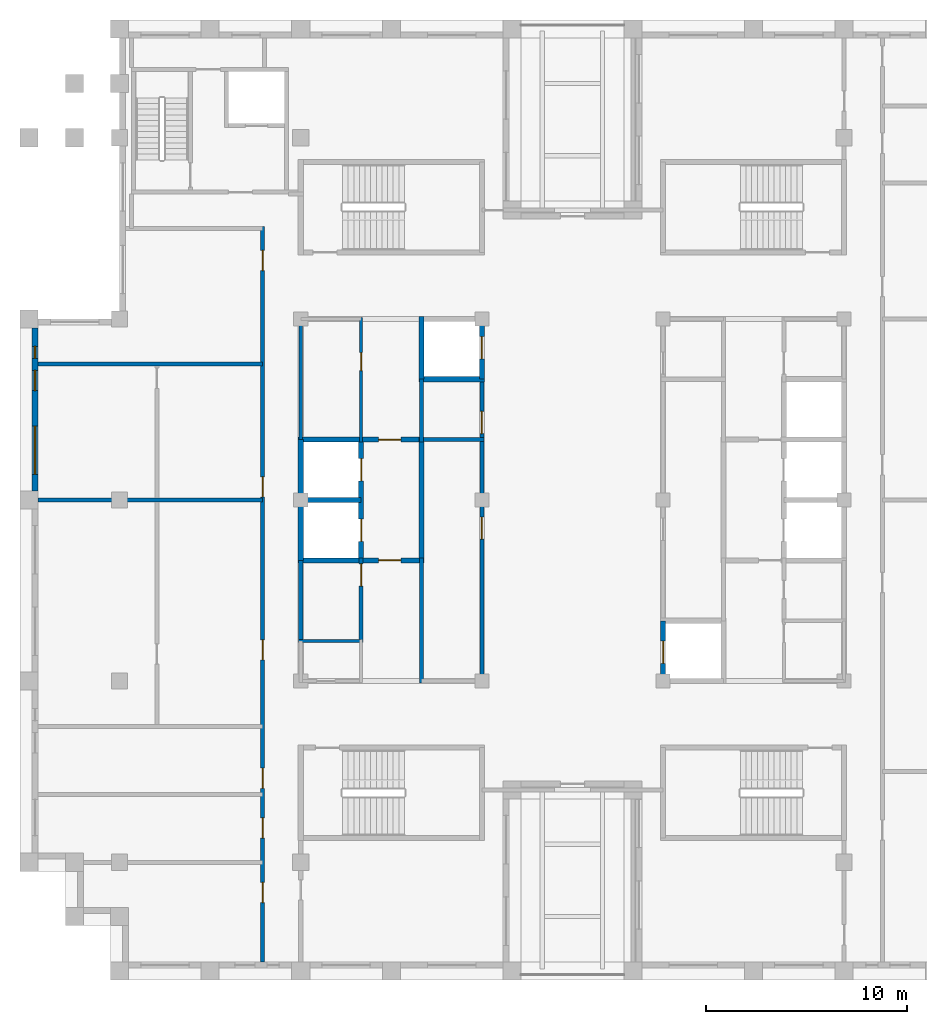
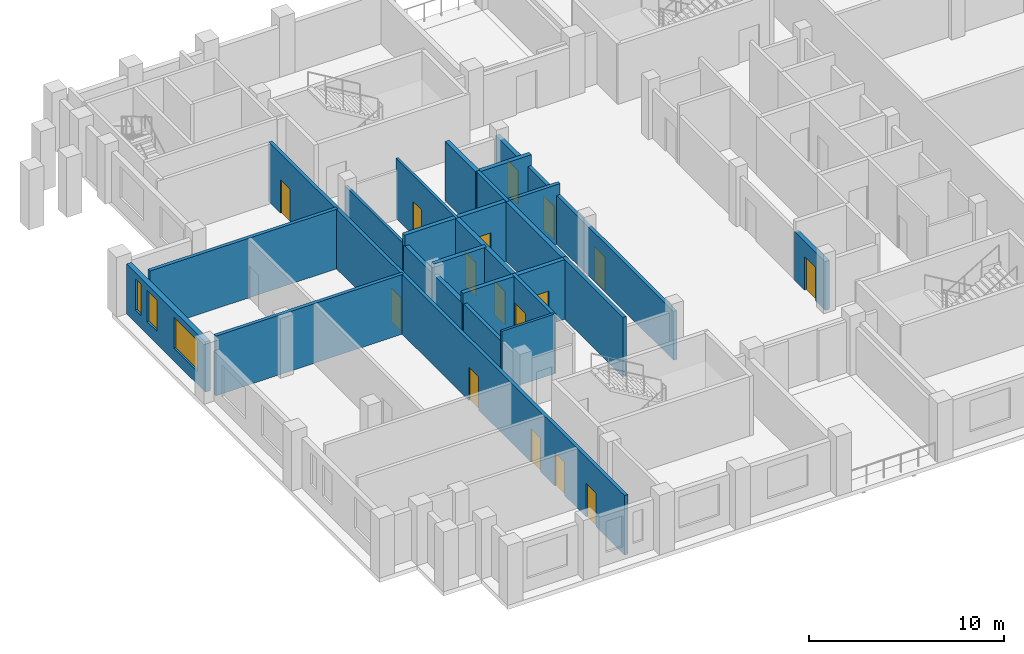
# One storey, part 3 of 9: 23 walls, 16 doors, 3 windows, 19 openings.
"""IFC4 building model written with IfcOpenShell, lengths in metres."""

from ifc_helpers import new_model, si_unit, direction, frame, frame_2d, origin, place, context, subcontext, project, spatial, rectangle, extrude, material, layer, layer_set, type_object, element, fill, save


model = new_model("IFC4")

# Units and contexts
model_context = context("Model", 3, precision=1e-05, world=origin(), true_north=direction((0.0, 1.0)))
body_context = subcontext(model_context, "Body", "Model", "MODEL_VIEW")
ifc_project = project(units=[si_unit("LENGTHUNIT", "METRE"), si_unit("AREAUNIT", "SQUARE_METRE"), si_unit("VOLUMEUNIT", "CUBIC_METRE"), si_unit("PLANEANGLEUNIT", "RADIAN"), si_unit("MASSUNIT", "GRAM", prefix="KILO")], contexts=[model_context])

# Site, building, storey
site_placement = place(None, origin())
site = spatial("IfcSite", under=ifc_project, at=site_placement, CompositionType="ELEMENT")
building_placement = place(site_placement, origin())
building = spatial("IfcBuilding", under=site, at=building_placement, Name="Corbelhall Arena Tower", CompositionType="ELEMENT")
storey_placement = place(building_placement, frame((0.0, 0.0, 300.0)))
storey = spatial("IfcBuildingStorey", under=building, at=storey_placement, Name="L65", CompositionType="ELEMENT", Elevation=300.0)

# Wall, openings, windows
ifc_material_1 = material(Name="Precast concrete C40/50 with granite facing", Category="masonry")
ifc_layer_1 = layer(ifc_material_1, 0.300048828125)
ifc_layer_set_1 = layer_set([ifc_layer_1], Name="EV-IW1 Infill panel 300")
wall_type_1 = type_object("IfcWallType", Name="EV-IW1 Infill panel 300", PredefinedType="SOLIDWALL", material=ifc_layer_set_1)
wall_1_placement = place(storey_placement, frame((-26.699951171875, 8.550048828125, 0.0), z_axis=(0.0, 0.0, 1.0), x_axis=(0.0, -1.0, 0.0)))
wall_1 = element("IfcWall", 1, at=wall_1_placement, inside=storey, type_object=wall_type_1, Name="Infill panel IW1", PredefinedType="SOLIDWALL", context=body_context, shape_type="SweptSolid", body=[
    extrude(rectangle(XDim=8.10009765625, YDim=0.300048828125, at=frame_2d((4.050048828125, 0.0))), origin(), (0.0, 0.0, 1.0), 3.139892578125),
])
opening_1_placement = place(wall_1_placement, frame((4.875, 0.0, 0.800048828125)))
opening_1 = element("IfcOpeningElement", 2, at=opening_1_placement, cuts=wall_1, Name="Opening WN1", PredefinedType="OPENING", context=body_context, shape_type="SweptSolid", body=[
    extrude(rectangle(XDim=2.39990234375, YDim=1.949951171875, at=frame_2d((1.199951171875, 0.97509765625))), frame((0.0, 0.14990234375, 0.0), z_axis=(0.0, -1.0, 0.0), x_axis=(1.0, 0.0, 0.0)), (0.0, 0.0, 1.0), 0.300048828125),
])
opening_2_placement = place(wall_1_placement, frame((0.91259765625, 0.0, 0.800048828125)))
opening_2 = element("IfcOpeningElement", 3, at=opening_2_placement, cuts=wall_1, Name="Opening WN5", PredefinedType="OPENING", context=body_context, shape_type="SweptSolid", body=[
    extrude(rectangle(XDim=0.60009765625, YDim=1.949951171875, at=frame_2d((0.300048828125, 0.97509765625))), frame((0.0, 0.14990234375, 0.0), z_axis=(0.0, -1.0, 0.0), x_axis=(1.0, 0.0, 0.0)), (0.0, 0.0, 1.0), 0.300048828125),
])
opening_3_placement = place(wall_1_placement, frame((2.112548828125, 0.0, 0.800048828125)))
opening_3 = element("IfcOpeningElement", 4, at=opening_3_placement, cuts=wall_1, Name="Opening WN6", PredefinedType="OPENING", context=body_context, shape_type="SweptSolid", body=[
    extrude(rectangle(XDim=1.0, YDim=1.949951171875, at=frame_2d((0.5, 0.97509765625))), frame((0.0, 0.14990234375, 0.0), z_axis=(0.0, -1.0, 0.0), x_axis=(1.0, 0.0, 0.0)), (0.0, 0.0, 1.0), 0.300048828125),
])
ifc_material_2 = material(Name="Aluminium black anodised", Category="aluminium")
window_type_1 = type_object("IfcWindowType", Name="EV-WN1 Office window", PartitioningType="SINGLE_PANEL", PredefinedType="WINDOW", material=ifc_material_2)
window_1_placement = place(opening_1_placement, origin())
window_1 = element("IfcWindow", 5, at=window_1_placement, inside=storey, type_object=window_type_1, Name="Window WN1", OverallHeight=1.949951171875, OverallWidth=2.39990234375, PartitioningType="SINGLE_PANEL", PredefinedType="WINDOW", context=body_context, shape_type="SweptSolid", body=[
    extrude(rectangle(XDim=2.39990234375, YDim=1.949951171875, at=frame_2d((1.199951171875, 0.97509765625))), frame((0.0, 0.030029296875, 0.0), z_axis=(0.0, -1.0, 0.0), x_axis=(1.0, 0.0, 0.0)), (0.0, 0.0, 1.0), 0.06005859375),
])
fill(opening_1, window_1)
window_type_2 = type_object("IfcWindowType", Name="EV-WN5 Office window 600", PartitioningType="SINGLE_PANEL", PredefinedType="WINDOW", material=ifc_material_2)
window_2_placement = place(opening_2_placement, origin())
window_2 = element("IfcWindow", 6, at=window_2_placement, inside=storey, type_object=window_type_2, Name="Window WN5", OverallHeight=1.949951171875, OverallWidth=0.60009765625, PartitioningType="SINGLE_PANEL", PredefinedType="WINDOW", context=body_context, shape_type="SweptSolid", body=[
    extrude(rectangle(XDim=0.60009765625, YDim=1.949951171875, at=frame_2d((0.300048828125, 0.97509765625))), frame((0.0, 0.030029296875, 0.0), z_axis=(0.0, -1.0, 0.0), x_axis=(1.0, 0.0, 0.0)), (0.0, 0.0, 1.0), 0.06005859375),
])
fill(opening_2, window_2)
window_type_3 = type_object("IfcWindowType", Name="EV-WN6 Office window 1000", PartitioningType="SINGLE_PANEL", PredefinedType="WINDOW", material=ifc_material_2)
window_3_placement = place(opening_3_placement, origin())
window_3 = element("IfcWindow", 7, at=window_3_placement, inside=storey, type_object=window_type_3, Name="Window WN6", OverallHeight=1.949951171875, OverallWidth=1.0, PartitioningType="SINGLE_PANEL", PredefinedType="WINDOW", context=body_context, shape_type="SweptSolid", body=[
    extrude(rectangle(XDim=1.0, YDim=1.949951171875, at=frame_2d((0.5, 0.97509765625))), frame((0.0, 0.030029296875, 0.0), z_axis=(0.0, -1.0, 0.0), x_axis=(1.0, 0.0, 0.0)), (0.0, 0.0, 1.0), 0.06005859375),
])
fill(opening_3, window_3)

# Walls
ifc_material_3 = material(Name="Gypsum board on steel stud, acoustic", Category="steel")
ifc_layer_2 = layer(ifc_material_3, 0.199951171875)
ifc_layer_set_2 = layer_set([ifc_layer_2], Name="IN-W-DM200")
wall_type_2 = type_object("IfcWallType", Name="IN-W-DM200", PredefinedType="PARTITIONING", material=ifc_layer_set_2)
for number, where, z_axis, x_axis, name in (
    (8, (-26.550048828125, 6.75, 0.0), (0.0, 0.0, 1.0), (1.0, 0.0, 0.0), "Partition 003"),
    (9, (-15.39990234375, 0.0, 0.0), (0.0, 0.0, 1.0), (-1.0, 0.0, 0.0), "Partition 008"),
):
    element("IfcWall", number, at=place(storey_placement, frame(where, z_axis=z_axis, x_axis=x_axis)), inside=storey, type_object=wall_type_2, Name=name, PredefinedType="PARTITIONING", context=body_context, shape_type="SweptSolid", body=[
        extrude(rectangle(XDim=11.150146484375, YDim=0.199951171875, at=frame_2d((5.5751953125, 0.0))), origin(), (0.0, 0.0, 1.0), 3.739990234375),
    ])

# Wall, openings, doors
wall_2_placement = place(storey_placement, frame((-15.39990234375, -22.949951171875, 0.0), z_axis=(0.0, 0.0, 1.0), x_axis=(0.0, 1.0, 0.0)))
wall_2 = element("IfcWall", 10, at=wall_2_placement, inside=storey, type_object=wall_type_2, Name="Partition 009", PredefinedType="PARTITIONING", context=body_context, shape_type="SweptSolid", body=[
    extrude(rectangle(XDim=36.550048828125, YDim=0.199951171875, at=frame_2d((18.27490234375, 0.0))), origin(), (0.0, 0.0, 1.0), 3.739990234375),
])
opening_4_placement = place(wall_2_placement, frame((23.10009765625, 0.0, 0.0)))
opening_4 = element("IfcOpeningElement", 11, at=opening_4_placement, cuts=wall_2, Name="Opening 21021", PredefinedType="OPENING", context=body_context, shape_type="SweptSolid", body=[
    extrude(rectangle(XDim=1.0, YDim=2.10009765625, at=frame_2d((0.5, 1.050048828125))), frame((0.0, 0.10009765625, 0.0), z_axis=(0.0, -1.0, 0.0), x_axis=(1.0, 0.0, 0.0)), (0.0, 0.0, 1.0), 0.199951171875),
])
opening_5_placement = place(wall_2_placement, frame((34.35009765625, 0.0, 0.0)))
opening_5 = element("IfcOpeningElement", 12, at=opening_5_placement, cuts=wall_2, Name="Opening 21023", PredefinedType="OPENING", context=body_context, shape_type="SweptSolid", body=[
    extrude(rectangle(XDim=1.0, YDim=2.10009765625, at=frame_2d((0.5, 1.050048828125))), frame((0.0, 0.10009765625, 0.0), z_axis=(0.0, -1.0, 0.0), x_axis=(1.0, 0.0, 0.0)), (0.0, 0.0, 1.0), 0.199951171875),
])
opening_6_placement = place(wall_2_placement, frame((2.949951171875, 0.0, 0.0)))
opening_6 = element("IfcOpeningElement", 13, at=opening_6_placement, cuts=wall_2, Name="Opening 21024", PredefinedType="OPENING", context=body_context, shape_type="SweptSolid", body=[
    extrude(rectangle(XDim=1.0, YDim=2.10009765625, at=frame_2d((0.5, 1.050048828125))), frame((0.0, 0.10009765625, 0.0), z_axis=(0.0, -1.0, 0.0), x_axis=(1.0, 0.0, 0.0)), (0.0, 0.0, 1.0), 0.199951171875),
])
opening_7_placement = place(wall_2_placement, frame((6.14990234375, 0.0, 0.0)))
opening_7 = element("IfcOpeningElement", 14, at=opening_7_placement, cuts=wall_2, Name="Opening 21025", PredefinedType="OPENING", context=body_context, shape_type="SweptSolid", body=[
    extrude(rectangle(XDim=1.0, YDim=2.10009765625, at=frame_2d((0.5, 1.050048828125))), frame((0.0, 0.10009765625, 0.0), z_axis=(0.0, -1.0, 0.0), x_axis=(1.0, 0.0, 0.0)), (0.0, 0.0, 1.0), 0.199951171875),
])
opening_8_placement = place(wall_2_placement, frame((8.625, 0.0, 0.0)))
opening_8 = element("IfcOpeningElement", 15, at=opening_8_placement, cuts=wall_2, Name="Opening 21026", PredefinedType="OPENING", context=body_context, shape_type="SweptSolid", body=[
    extrude(rectangle(XDim=1.0, YDim=2.10009765625, at=frame_2d((0.5, 1.050048828125))), frame((0.0, 0.10009765625, 0.0), z_axis=(0.0, -1.0, 0.0), x_axis=(1.0, 0.0, 0.0)), (0.0, 0.0, 1.0), 0.199951171875),
])
opening_9_placement = place(wall_2_placement, frame((15.0, 0.0, 0.0)))
opening_9 = element("IfcOpeningElement", 16, at=opening_9_placement, cuts=wall_2, Name="Opening 21027", PredefinedType="OPENING", context=body_context, shape_type="SweptSolid", body=[
    extrude(rectangle(XDim=1.0, YDim=2.10009765625, at=frame_2d((0.5, 1.050048828125))), frame((0.0, 0.10009765625, 0.0), z_axis=(0.0, -1.0, 0.0), x_axis=(1.0, 0.0, 0.0)), (0.0, 0.0, 1.0), 0.199951171875),
])
ifc_material_4 = material(Name="Steel door set", Category="steel")
door_type_1 = type_object("IfcDoorType", Name="IN-D-SW100", OperationType="NOTDEFINED", PredefinedType="DOOR", material=ifc_material_4)
door_1_placement = place(opening_4_placement, origin())
door_1 = element("IfcDoor", 17, at=door_1_placement, inside=storey, type_object=door_type_1, Name="Door 021", OperationType="SINGLE_SWING_RIGHT", OverallHeight=2.10009765625, OverallWidth=1.0, PredefinedType="DOOR", context=body_context, shape_type="SweptSolid", body=[
    extrude(rectangle(XDim=1.0, YDim=2.10009765625, at=frame_2d((0.5, 1.050048828125))), frame((0.0, 0.02490234375, 0.0), z_axis=(0.0, -1.0, 0.0), x_axis=(1.0, 0.0, 0.0)), (0.0, 0.0, 1.0), 0.050048828125),
])
fill(opening_4, door_1)
door_2_placement = place(opening_5_placement, origin())
door_2 = element("IfcDoor", 18, at=door_2_placement, inside=storey, type_object=door_type_1, Name="Door 023", OperationType="SINGLE_SWING_RIGHT", OverallHeight=2.10009765625, OverallWidth=1.0, PredefinedType="DOOR", context=body_context, shape_type="SweptSolid", body=[
    extrude(rectangle(XDim=1.0, YDim=2.10009765625, at=frame_2d((0.5, 1.050048828125))), frame((0.0, 0.02490234375, 0.0), z_axis=(0.0, -1.0, 0.0), x_axis=(1.0, 0.0, 0.0)), (0.0, 0.0, 1.0), 0.050048828125),
])
fill(opening_5, door_2)
door_3_placement = place(opening_6_placement, origin())
door_3 = element("IfcDoor", 19, at=door_3_placement, inside=storey, type_object=door_type_1, Name="Door 024", OperationType="SINGLE_SWING_LEFT", OverallHeight=2.10009765625, OverallWidth=1.0, PredefinedType="DOOR", context=body_context, shape_type="SweptSolid", body=[
    extrude(rectangle(XDim=1.0, YDim=2.10009765625, at=frame_2d((0.5, 1.050048828125))), frame((0.0, 0.02490234375, 0.0), z_axis=(0.0, -1.0, 0.0), x_axis=(1.0, 0.0, 0.0)), (0.0, 0.0, 1.0), 0.050048828125),
])
fill(opening_6, door_3)
door_4_placement = place(opening_7_placement, origin())
door_4 = element("IfcDoor", 20, at=door_4_placement, inside=storey, type_object=door_type_1, Name="Door 025", OperationType="SINGLE_SWING_RIGHT", OverallHeight=2.10009765625, OverallWidth=1.0, PredefinedType="DOOR", context=body_context, shape_type="SweptSolid", body=[
    extrude(rectangle(XDim=1.0, YDim=2.10009765625, at=frame_2d((0.5, 1.050048828125))), frame((0.0, 0.02490234375, 0.0), z_axis=(0.0, -1.0, 0.0), x_axis=(1.0, 0.0, 0.0)), (0.0, 0.0, 1.0), 0.050048828125),
])
fill(opening_7, door_4)
door_5_placement = place(opening_8_placement, origin())
door_5 = element("IfcDoor", 21, at=door_5_placement, inside=storey, type_object=door_type_1, Name="Door 026", OperationType="SINGLE_SWING_LEFT", OverallHeight=2.10009765625, OverallWidth=1.0, PredefinedType="DOOR", context=body_context, shape_type="SweptSolid", body=[
    extrude(rectangle(XDim=1.0, YDim=2.10009765625, at=frame_2d((0.5, 1.050048828125))), frame((0.0, 0.02490234375, 0.0), z_axis=(0.0, -1.0, 0.0), x_axis=(1.0, 0.0, 0.0)), (0.0, 0.0, 1.0), 0.050048828125),
])
fill(opening_8, door_5)
door_6_placement = place(opening_9_placement, origin())
door_6 = element("IfcDoor", 22, at=door_6_placement, inside=storey, type_object=door_type_1, Name="Door 027", OperationType="SINGLE_SWING_RIGHT", OverallHeight=2.10009765625, OverallWidth=1.0, PredefinedType="DOOR", context=body_context, shape_type="SweptSolid", body=[
    extrude(rectangle(XDim=1.0, YDim=2.10009765625, at=frame_2d((0.5, 1.050048828125))), frame((0.0, 0.02490234375, 0.0), z_axis=(0.0, -1.0, 0.0), x_axis=(1.0, 0.0, 0.0)), (0.0, 0.0, 1.0), 0.050048828125),
])
fill(opening_9, door_6)

# Wall, opening, door
ifc_material_5 = material(Name="Concrete block wall", Category="concrete")
ifc_layer_3 = layer(ifc_material_5, 0.199951171875)
ifc_layer_set_3 = layer_set([ifc_layer_3], Name="IN-W-RS200")
wall_type_3 = type_object("IfcWallType", Name="IN-W-RS200", PredefinedType="SOLIDWALL", material=ifc_layer_set_3)
wall_3_placement = place(storey_placement, frame((-10.5, -7.074951171875, 0.0), z_axis=(0.0, 0.0, 1.0), x_axis=(0.0, 1.0, 0.0)))
wall_3 = element("IfcWall", 23, at=wall_3_placement, inside=storey, type_object=wall_type_3, Name="Partition 030", PredefinedType="SOLIDWALL", context=body_context, shape_type="SweptSolid", body=[
    extrude(rectangle(XDim=4.199951171875, YDim=0.199951171875, at=frame_2d((2.10009765625, 0.0))), origin(), (0.0, 0.0, 1.0), 3.739990234375),
])
opening_10_placement = place(wall_3_placement, frame((2.800048828125, 0.0, 0.0)))
opening_10 = element("IfcOpeningElement", 24, at=opening_10_placement, cuts=wall_3, Name="Opening 21006", PredefinedType="OPENING", context=body_context, shape_type="SweptSolid", body=[
    extrude(rectangle(XDim=1.10009765625, YDim=2.10009765625, at=frame_2d((0.550048828125, 1.050048828125))), frame((0.0, 0.10009765625, 0.0), z_axis=(0.0, -1.0, 0.0), x_axis=(1.0, 0.0, 0.0)), (0.0, 0.0, 1.0), 0.199951171875),
])
door_type_2 = type_object("IfcDoorType", Name="IN-D-FD110", OperationType="NOTDEFINED", PredefinedType="DOOR", material=ifc_material_4)
door_7_placement = place(opening_10_placement, origin())
door_7 = element("IfcDoor", 25, at=door_7_placement, inside=storey, type_object=door_type_2, Name="Door 006", OperationType="SINGLE_SWING_LEFT", OverallHeight=2.10009765625, OverallWidth=1.10009765625, PredefinedType="DOOR", context=body_context, shape_type="SweptSolid", body=[
    extrude(rectangle(XDim=1.10009765625, YDim=2.10009765625, at=frame_2d((0.550048828125, 1.050048828125))), frame((0.0, 0.02490234375, 0.0), z_axis=(0.0, -1.0, 0.0), x_axis=(1.0, 0.0, 0.0)), (0.0, 0.0, 1.0), 0.050048828125),
])
fill(opening_10, door_7)

# Walls
wall_4_placement = place(storey_placement, frame((-7.625, 3.0, 0.0), z_axis=(0.0, 0.0, 1.0), x_axis=(1.0, 0.0, 0.0)))
element("IfcWall", 26, at=wall_4_placement, inside=storey, type_object=wall_type_3, Name="Partition 031", PredefinedType="SOLIDWALL", context=body_context, shape_type="SweptSolid", body=[
    extrude(rectangle(XDim=3.22509765625, YDim=0.199951171875, at=frame_2d((1.612548828125, 0.0))), origin(), (0.0, 0.0, 1.0), 3.739990234375),
])
wall_5_placement = place(storey_placement, frame((-7.5, -9.10009765625, 0.0), z_axis=(0.0, 0.0, 1.0), x_axis=(0.0, 1.0, 0.0)))
element("IfcWall", 27, at=wall_5_placement, inside=storey, type_object=wall_type_3, Name="Partition 032", PredefinedType="SOLIDWALL", context=body_context, shape_type="SweptSolid", body=[
    extrude(rectangle(XDim=6.22509765625, YDim=0.199951171875, at=frame_2d((3.112548828125, 0.0))), origin(), (0.0, 0.0, 1.0), 3.739990234375),
])
wall_6_placement = place(storey_placement, frame((-7.5, 2.875, 0.0), z_axis=(0.0, 0.0, 1.0), x_axis=(0.0, 1.0, 0.0)))
element("IfcWall", 28, at=wall_6_placement, inside=storey, type_object=wall_type_3, Name="Partition 033", PredefinedType="SOLIDWALL", context=body_context, shape_type="SweptSolid", body=[
    extrude(rectangle(XDim=3.125, YDim=0.199951171875, at=frame_2d((1.5625, 0.0))), origin(), (0.0, 0.0, 1.0), 3.739990234375),
])
ifc_layer_4 = layer(ifc_material_5, 0.199951171875)
ifc_layer_set_4 = layer_set([ifc_layer_4], Name="IN-W-RS200 under beam 678 mm")
wall_type_4 = type_object("IfcWallType", Name="IN-W-RS200 under beam 678 mm", PredefinedType="SOLIDWALL", material=ifc_layer_set_4)
wall_7_placement = place(storey_placement, frame((-13.5, -7.0, 0.0), z_axis=(0.0, 0.0, 1.0), x_axis=(0.0, 1.0, 0.0)))
element("IfcWall", 29, at=wall_7_placement, inside=storey, type_object=wall_type_4, Name="Partition 029", PredefinedType="SOLIDWALL", context=body_context, shape_type="SweptSolid", body=[
    extrude(rectangle(XDim=4.0, YDim=0.199951171875, at=frame_2d((2.0, 0.0))), origin(), (0.0, 0.0, 1.0), 3.061767578125),
])

# Wall, openings, doors
wall_8_placement = place(storey_placement, frame((-4.5, 6.0, 0.0), z_axis=(0.0, 0.0, 1.0), x_axis=(0.0, -1.0, 0.0)))
wall_8 = element("IfcWall", 30, at=wall_8_placement, inside=storey, type_object=wall_type_4, Name="Partition 035", PredefinedType="SOLIDWALL", context=body_context, shape_type="SweptSolid", body=[
    extrude(rectangle(XDim=15.10009765625, YDim=0.199951171875, at=frame_2d((7.550048828125, 0.0))), origin(), (0.0, 0.0, 1.0), 3.061767578125),
])
opening_11_placement = place(wall_8_placement, frame((6.85009765625, 0.0, 0.0)))
opening_11 = element("IfcOpeningElement", 31, at=opening_11_placement, cuts=wall_8, Name="Opening 21001", PredefinedType="OPENING", context=body_context, shape_type="SweptSolid", body=[
    extrude(rectangle(XDim=1.10009765625, YDim=2.10009765625, at=frame_2d((0.550048828125, 1.050048828125))), frame((0.0, 0.10009765625, 0.0), z_axis=(0.0, -1.0, 0.0), x_axis=(1.0, 0.0, 0.0)), (0.0, 0.0, 1.0), 0.199951171875),
])
opening_12_placement = place(wall_8_placement, frame((1.60009765625, 0.0, 0.0)))
opening_12 = element("IfcOpeningElement", 32, at=opening_12_placement, cuts=wall_8, Name="Opening 21002", PredefinedType="OPENING", context=body_context, shape_type="SweptSolid", body=[
    extrude(rectangle(XDim=1.10009765625, YDim=2.10009765625, at=frame_2d((0.550048828125, 1.050048828125))), frame((0.0, 0.10009765625, 0.0), z_axis=(0.0, -1.0, 0.0), x_axis=(1.0, 0.0, 0.0)), (0.0, 0.0, 1.0), 0.199951171875),
])
door_8_placement = place(opening_11_placement, origin())
door_8 = element("IfcDoor", 33, at=door_8_placement, inside=storey, type_object=door_type_2, Name="Door 001", OperationType="SINGLE_SWING_RIGHT", OverallHeight=2.10009765625, OverallWidth=1.10009765625, PredefinedType="DOOR", context=body_context, shape_type="SweptSolid", body=[
    extrude(rectangle(XDim=1.10009765625, YDim=2.10009765625, at=frame_2d((0.550048828125, 1.050048828125))), frame((0.0, 0.02490234375, 0.0), z_axis=(0.0, -1.0, 0.0), x_axis=(1.0, 0.0, 0.0)), (0.0, 0.0, 1.0), 0.050048828125),
])
fill(opening_11, door_8)
door_9_placement = place(opening_12_placement, origin())
door_9 = element("IfcDoor", 34, at=door_9_placement, inside=storey, type_object=door_type_2, Name="Door 002", OperationType="SINGLE_SWING_LEFT", OverallHeight=2.10009765625, OverallWidth=1.10009765625, PredefinedType="DOOR", context=body_context, shape_type="SweptSolid", body=[
    extrude(rectangle(XDim=1.10009765625, YDim=2.10009765625, at=frame_2d((0.550048828125, 1.050048828125))), frame((0.0, 0.02490234375, 0.0), z_axis=(0.0, -1.0, 0.0), x_axis=(1.0, 0.0, 0.0)), (0.0, 0.0, 1.0), 0.050048828125),
])
fill(opening_12, door_9)

# Wall
ifc_material_6 = material(Name="Concrete C40/50", Category="concrete")
ifc_layer_5 = layer(ifc_material_6, 0.25)
ifc_layer_set_5 = layer_set([ifc_layer_5], Name="IN-W-SH250")
wall_type_5 = type_object("IfcWallType", Name="IN-W-SH250", PredefinedType="SOLIDWALL", material=ifc_layer_set_5)
wall_9_placement = place(storey_placement, frame((-13.625, 0.0, 0.0), z_axis=(0.0, 0.0, 1.0), x_axis=(1.0, 0.0, 0.0)))
element("IfcWall", 35, at=wall_9_placement, inside=storey, type_object=wall_type_5, Name="Shaft wall 046", PredefinedType="SOLIDWALL", context=body_context, shape_type="SweptSolid", body=[
    extrude(rectangle(XDim=3.125, YDim=0.25, at=frame_2d((1.5625, 0.0))), origin(), (0.0, 0.0, 1.0), 3.739990234375),
])

# Wall, opening, door
wall_10_placement = place(storey_placement, frame((-13.625, 3.0, 0.0), z_axis=(0.0, 0.0, 1.0), x_axis=(1.0, 0.0, 0.0)))
wall_10 = element("IfcWall", 36, at=wall_10_placement, inside=storey, type_object=wall_type_5, Name="Shaft wall 047", PredefinedType="SOLIDWALL", context=body_context, shape_type="SweptSolid", body=[
    extrude(rectangle(XDim=6.125, YDim=0.25, at=frame_2d((3.0625, 0.0))), origin(), (0.0, 0.0, 1.0), 3.739990234375),
])
opening_13_placement = place(wall_10_placement, frame((4.0, 0.0, 0.0)))
opening_13 = element("IfcOpeningElement", 37, at=opening_13_placement, cuts=wall_10, Name="Opening 21004", PredefinedType="OPENING", context=body_context, shape_type="SweptSolid", body=[
    extrude(rectangle(XDim=1.10009765625, YDim=2.10009765625, at=frame_2d((0.550048828125, 1.050048828125))), frame((0.0, 0.125, 0.0), z_axis=(0.0, -1.0, 0.0), x_axis=(1.0, 0.0, 0.0)), (0.0, 0.0, 1.0), 0.25),
])
door_10_placement = place(opening_13_placement, origin())
door_10 = element("IfcDoor", 38, at=door_10_placement, inside=storey, type_object=door_type_2, Name="Door 004", OperationType="SINGLE_SWING_LEFT", OverallHeight=2.10009765625, OverallWidth=1.10009765625, PredefinedType="DOOR", context=body_context, shape_type="SweptSolid", body=[
    extrude(rectangle(XDim=1.10009765625, YDim=2.10009765625, at=frame_2d((0.550048828125, 1.050048828125))), frame((0.0, 0.02490234375, 0.0), z_axis=(0.0, -1.0, 0.0), x_axis=(1.0, 0.0, 0.0)), (0.0, 0.0, 1.0), 0.050048828125),
])
fill(opening_13, door_10)

wall_11_placement = place(storey_placement, frame((-13.625, -3.0, 0.0), z_axis=(0.0, 0.0, 1.0), x_axis=(1.0, 0.0, 0.0)))
wall_11 = element("IfcWall", 39, at=wall_11_placement, inside=storey, type_object=wall_type_5, Name="Shaft wall 049", PredefinedType="SOLIDWALL", context=body_context, shape_type="SweptSolid", body=[
    extrude(rectangle(XDim=6.125, YDim=0.25, at=frame_2d((3.0625, 0.0))), origin(), (0.0, 0.0, 1.0), 3.739990234375),
])
opening_14_placement = place(wall_11_placement, frame((4.0, 0.0, 0.0)))
opening_14 = element("IfcOpeningElement", 40, at=opening_14_placement, cuts=wall_11, Name="Opening 21003", PredefinedType="OPENING", context=body_context, shape_type="SweptSolid", body=[
    extrude(rectangle(XDim=1.10009765625, YDim=2.10009765625, at=frame_2d((0.550048828125, 1.050048828125))), frame((0.0, 0.125, 0.0), z_axis=(0.0, -1.0, 0.0), x_axis=(1.0, 0.0, 0.0)), (0.0, 0.0, 1.0), 0.25),
])
door_11_placement = place(opening_14_placement, origin())
door_11 = element("IfcDoor", 41, at=door_11_placement, inside=storey, type_object=door_type_2, Name="Door 003", OperationType="SINGLE_SWING_RIGHT", OverallHeight=2.10009765625, OverallWidth=1.10009765625, PredefinedType="DOOR", context=body_context, shape_type="SweptSolid", body=[
    extrude(rectangle(XDim=1.10009765625, YDim=2.10009765625, at=frame_2d((0.550048828125, 1.050048828125))), frame((0.0, 0.02490234375, 0.0), z_axis=(0.0, -1.0, 0.0), x_axis=(1.0, 0.0, 0.0)), (0.0, 0.0, 1.0), 0.050048828125),
])
fill(opening_14, door_11)

# Wall, openings, doors
wall_12_placement = place(storey_placement, frame((-10.5, -3.125, 0.0), z_axis=(0.0, 0.0, 1.0), x_axis=(0.0, 1.0, 0.0)))
wall_12 = element("IfcWall", 42, at=wall_12_placement, inside=storey, type_object=wall_type_5, Name="Shaft wall 050", PredefinedType="SOLIDWALL", context=body_context, shape_type="SweptSolid", body=[
    extrude(rectangle(XDim=6.25, YDim=0.25, at=frame_2d((3.125, 0.0))), origin(), (0.0, 0.0, 1.0), 3.739990234375),
])
opening_15_placement = place(wall_12_placement, frame((1.074951171875, 0.0, 0.0)))
opening_15 = element("IfcOpeningElement", 43, at=opening_15_placement, cuts=wall_12, Name="Opening LD", PredefinedType="OPENING", context=body_context, shape_type="SweptSolid", body=[
    extrude(rectangle(XDim=1.10009765625, YDim=2.10009765625, at=frame_2d((0.550048828125, 1.050048828125))), frame((0.0, 0.125, 0.0), z_axis=(0.0, -1.0, 0.0), x_axis=(1.0, 0.0, 0.0)), (0.0, 0.0, 1.0), 0.25),
])
opening_16_placement = place(wall_12_placement, frame((4.074951171875, 0.0, 0.0)))
opening_16 = element("IfcOpeningElement", 44, at=opening_16_placement, cuts=wall_12, Name="Opening LD", PredefinedType="OPENING", context=body_context, shape_type="SweptSolid", body=[
    extrude(rectangle(XDim=1.10009765625, YDim=2.10009765625, at=frame_2d((0.550048828125, 1.050048828125))), frame((0.0, 0.125, 0.0), z_axis=(0.0, -1.0, 0.0), x_axis=(1.0, 0.0, 0.0)), (0.0, 0.0, 1.0), 0.25),
])
door_type_3 = type_object("IfcDoorType", Name="IN-D-LD110", OperationType="NOTDEFINED", PredefinedType="DOOR", material=ifc_material_4)
door_12_placement = place(opening_15_placement, origin())
door_12 = element("IfcDoor", 45, at=door_12_placement, inside=storey, type_object=door_type_3, Name="Landing door W3", OperationType="SLIDING_TO_LEFT", OverallHeight=2.10009765625, OverallWidth=1.10009765625, PredefinedType="DOOR", context=body_context, shape_type="SweptSolid", body=[
    extrude(rectangle(XDim=1.10009765625, YDim=2.10009765625, at=frame_2d((0.550048828125, 1.050048828125))), frame((0.0, 0.02490234375, 0.0), z_axis=(0.0, -1.0, 0.0), x_axis=(1.0, 0.0, 0.0)), (0.0, 0.0, 1.0), 0.050048828125),
])
fill(opening_15, door_12)
door_13_placement = place(opening_16_placement, origin())
door_13 = element("IfcDoor", 46, at=door_13_placement, inside=storey, type_object=door_type_3, Name="Landing door W4", OperationType="SLIDING_TO_LEFT", OverallHeight=2.10009765625, OverallWidth=1.10009765625, PredefinedType="DOOR", context=body_context, shape_type="SweptSolid", body=[
    extrude(rectangle(XDim=1.10009765625, YDim=2.10009765625, at=frame_2d((0.550048828125, 1.050048828125))), frame((0.0, 0.02490234375, 0.0), z_axis=(0.0, -1.0, 0.0), x_axis=(1.0, 0.0, 0.0)), (0.0, 0.0, 1.0), 0.050048828125),
])
fill(opening_16, door_13)

# Walls
wall_13_placement = place(storey_placement, frame((-7.625, 6.0, 0.0), z_axis=(0.0, 0.0, 1.0), x_axis=(1.0, 0.0, 0.0)))
element("IfcWall", 47, at=wall_13_placement, inside=storey, type_object=wall_type_5, Name="Shaft wall 051", PredefinedType="SOLIDWALL", context=body_context, shape_type="SweptSolid", body=[
    extrude(rectangle(XDim=3.25, YDim=0.25, at=frame_2d((1.625, 0.0))), origin(), (0.0, 0.0, 1.0), 3.739990234375),
])
wall_14_placement = place(storey_placement, frame((-7.5, -3.125, 0.0), z_axis=(0.0, 0.0, 1.0), x_axis=(0.0, 1.0, 0.0)))
element("IfcWall", 48, at=wall_14_placement, inside=storey, type_object=wall_type_5, Name="Shaft wall 052", PredefinedType="SOLIDWALL", context=body_context, shape_type="SweptSolid", body=[
    extrude(rectangle(XDim=6.25, YDim=0.25, at=frame_2d((3.125, 0.0))), origin(), (0.0, 0.0, 1.0), 3.739990234375),
])
wall_15_placement = place(storey_placement, frame((-7.5, 6.0, 0.0), z_axis=(0.0, 0.0, 1.0), x_axis=(0.0, 1.0, 0.0)))
element("IfcWall", 49, at=wall_15_placement, inside=storey, type_object=wall_type_5, Name="Shaft wall 053", PredefinedType="SOLIDWALL", context=body_context, shape_type="SweptSolid", body=[
    extrude(rectangle(XDim=3.125, YDim=0.25, at=frame_2d((1.5625, 0.0))), origin(), (0.0, 0.0, 1.0), 3.739990234375),
])
ifc_layer_6 = layer(ifc_material_6, 0.25)
ifc_layer_set_6 = layer_set([ifc_layer_6], Name="IN-W-SH250 under beam 678 mm")
wall_type_6 = type_object("IfcWallType", Name="IN-W-SH250 under beam 678 mm", PredefinedType="SOLIDWALL", material=ifc_layer_set_6)
wall_16_placement = place(storey_placement, frame((-13.5, -3.0, 0.0), z_axis=(0.0, 0.0, 1.0), x_axis=(0.0, 1.0, 0.0)))
element("IfcWall", 50, at=wall_16_placement, inside=storey, type_object=wall_type_6, Name="Shaft wall 048", PredefinedType="SOLIDWALL", context=body_context, shape_type="SweptSolid", body=[
    extrude(rectangle(XDim=6.0, YDim=0.25, at=frame_2d((3.0, 0.0))), origin(), (0.0, 0.0, 1.0), 3.061767578125),
])

# Wall, opening, door
wall_17_placement = place(storey_placement, frame((-4.5, 9.125, 0.0), z_axis=(0.0, 0.0, 1.0), x_axis=(0.0, -1.0, 0.0)))
wall_17 = element("IfcWall", 51, at=wall_17_placement, inside=storey, type_object=wall_type_6, Name="Shaft wall 055", PredefinedType="SOLIDWALL", context=body_context, shape_type="SweptSolid", body=[
    extrude(rectangle(XDim=3.125, YDim=0.25, at=frame_2d((1.5625, 0.0))), origin(), (0.0, 0.0, 1.0), 3.061767578125),
])
opening_17_placement = place(wall_17_placement, frame((1.012451171875, 0.0, 0.0)))
opening_17 = element("IfcOpeningElement", 52, at=opening_17_placement, cuts=wall_17, Name="Opening LD", PredefinedType="OPENING", context=body_context, shape_type="SweptSolid", body=[
    extrude(rectangle(XDim=1.10009765625, YDim=2.10009765625, at=frame_2d((0.550048828125, 1.050048828125))), frame((0.0, 0.125, 0.0), z_axis=(0.0, -1.0, 0.0), x_axis=(1.0, 0.0, 0.0)), (0.0, 0.0, 1.0), 0.25),
])
door_14_placement = place(opening_17_placement, origin())
door_14 = element("IfcDoor", 53, at=door_14_placement, inside=storey, type_object=door_type_3, Name="Landing door W6", OperationType="SLIDING_TO_LEFT", OverallHeight=2.10009765625, OverallWidth=1.10009765625, PredefinedType="DOOR", context=body_context, shape_type="SweptSolid", body=[
    extrude(rectangle(XDim=1.10009765625, YDim=2.10009765625, at=frame_2d((0.550048828125, 1.050048828125))), frame((0.0, 0.02490234375, 0.0), z_axis=(0.0, -1.0, 0.0), x_axis=(1.0, 0.0, 0.0)), (0.0, 0.0, 1.0), 0.050048828125),
])
fill(opening_17, door_14)

wall_18_placement = place(storey_placement, frame((4.5, -9.125, 0.0), z_axis=(0.0, 0.0, 1.0), x_axis=(0.0, 1.0, 0.0)))
wall_18 = element("IfcWall", 54, at=wall_18_placement, inside=storey, type_object=wall_type_6, Name="Shaft wall 057", PredefinedType="SOLIDWALL", context=body_context, shape_type="SweptSolid", body=[
    extrude(rectangle(XDim=3.125, YDim=0.25, at=frame_2d((1.5625, 0.0))), origin(), (0.0, 0.0, 1.0), 3.061767578125),
])
opening_18_placement = place(wall_18_placement, frame((1.012451171875, 0.0, 0.0)))
opening_18 = element("IfcOpeningElement", 55, at=opening_18_placement, cuts=wall_18, Name="Opening LD", PredefinedType="OPENING", context=body_context, shape_type="SweptSolid", body=[
    extrude(rectangle(XDim=1.10009765625, YDim=2.10009765625, at=frame_2d((0.550048828125, 1.050048828125))), frame((0.0, 0.125, 0.0), z_axis=(0.0, -1.0, 0.0), x_axis=(1.0, 0.0, 0.0)), (0.0, 0.0, 1.0), 0.25),
])
door_15_placement = place(opening_18_placement, origin())
door_15 = element("IfcDoor", 56, at=door_15_placement, inside=storey, type_object=door_type_3, Name="Landing door E1", OperationType="SLIDING_TO_LEFT", OverallHeight=2.10009765625, OverallWidth=1.10009765625, PredefinedType="DOOR", context=body_context, shape_type="SweptSolid", body=[
    extrude(rectangle(XDim=1.10009765625, YDim=2.10009765625, at=frame_2d((0.550048828125, 1.050048828125))), frame((0.0, 0.02490234375, 0.0), z_axis=(0.0, -1.0, 0.0), x_axis=(1.0, 0.0, 0.0)), (0.0, 0.0, 1.0), 0.050048828125),
])
fill(opening_18, door_15)

# Wall
ifc_material_7 = material(Name="Gypsum board on steel stud, moisture resistant", Category="steel")
ifc_layer_7 = layer(ifc_material_7, 0.14990234375)
ifc_layer_set_7 = layer_set([ifc_layer_7], Name="IN-W-WC150")
wall_type_7 = type_object("IfcWallType", Name="IN-W-WC150", PredefinedType="PARTITIONING", material=ifc_layer_set_7)
wall_19_placement = place(storey_placement, frame((-13.60009765625, -7.0, 0.0), z_axis=(0.0, 0.0, 1.0), x_axis=(1.0, 0.0, 0.0)))
element("IfcWall", 57, at=wall_19_placement, inside=storey, type_object=wall_type_7, Name="Partition 083", PredefinedType="PARTITIONING", context=body_context, shape_type="SweptSolid", body=[
    extrude(rectangle(XDim=3.10009765625, YDim=0.14990234375, at=frame_2d((1.550048828125, 0.0))), origin(), (0.0, 0.0, 1.0), 3.739990234375),
])

# Wall, opening, door
wall_20_placement = place(storey_placement, frame((-10.5, 2.875, 0.0), z_axis=(0.0, 0.0, 1.0), x_axis=(0.0, 1.0, 0.0)))
wall_20 = element("IfcWall", 58, at=wall_20_placement, inside=storey, type_object=wall_type_7, Name="Partition 089", PredefinedType="PARTITIONING", context=body_context, shape_type="SweptSolid", body=[
    extrude(rectangle(XDim=6.199951171875, YDim=0.14990234375, at=frame_2d((3.10009765625, 0.0))), origin(), (0.0, 0.0, 1.0), 3.739990234375),
])
opening_19_placement = place(wall_20_placement, frame((3.550048828125, 0.0, 0.0)))
opening_19 = element("IfcOpeningElement", 59, at=opening_19_placement, cuts=wall_20, Name="Opening 21007", PredefinedType="OPENING", context=body_context, shape_type="SweptSolid", body=[
    extrude(rectangle(XDim=0.89990234375, YDim=2.10009765625, at=frame_2d((0.449951171875, 1.050048828125))), frame((0.0, 0.074951171875, 0.0), z_axis=(0.0, -1.0, 0.0), x_axis=(1.0, 0.0, 0.0)), (0.0, 0.0, 1.0), 0.14990234375),
])
ifc_material_8 = material(Name="Timber door set", Category="wood")
door_type_4 = type_object("IfcDoorType", Name="IN-D-SW90", OperationType="NOTDEFINED", PredefinedType="DOOR", material=ifc_material_8)
door_16_placement = place(opening_19_placement, origin())
door_16 = element("IfcDoor", 60, at=door_16_placement, inside=storey, type_object=door_type_4, Name="Door 007", OperationType="SINGLE_SWING_RIGHT", OverallHeight=2.10009765625, OverallWidth=0.89990234375, PredefinedType="DOOR", context=body_context, shape_type="SweptSolid", body=[
    extrude(rectangle(XDim=0.89990234375, YDim=2.10009765625, at=frame_2d((0.449951171875, 1.050048828125))), frame((0.0, 0.02490234375, 0.0), z_axis=(0.0, -1.0, 0.0), x_axis=(1.0, 0.0, 0.0)), (0.0, 0.0, 1.0), 0.050048828125),
])
fill(opening_19, door_16)

# Wall
ifc_layer_8 = layer(ifc_material_7, 0.14990234375)
ifc_layer_set_8 = layer_set([ifc_layer_8], Name="IN-W-WC150 under beam 678 mm")
wall_type_8 = type_object("IfcWallType", Name="IN-W-WC150 under beam 678 mm", PredefinedType="PARTITIONING", material=ifc_layer_set_8)
wall_21_placement = place(storey_placement, frame((-13.5, 3.0, 0.0), z_axis=(0.0, 0.0, 1.0), x_axis=(0.0, 1.0, 0.0)))
element("IfcWall", 61, at=wall_21_placement, inside=storey, type_object=wall_type_8, Name="Partition 085", PredefinedType="PARTITIONING", context=body_context, shape_type="SweptSolid", body=[
    extrude(rectangle(XDim=6.074951171875, YDim=0.14990234375, at=frame_2d((3.03759765625, 0.0))), origin(), (0.0, 0.0, 1.0), 3.061767578125),
])

save(model, "model.ifc")
